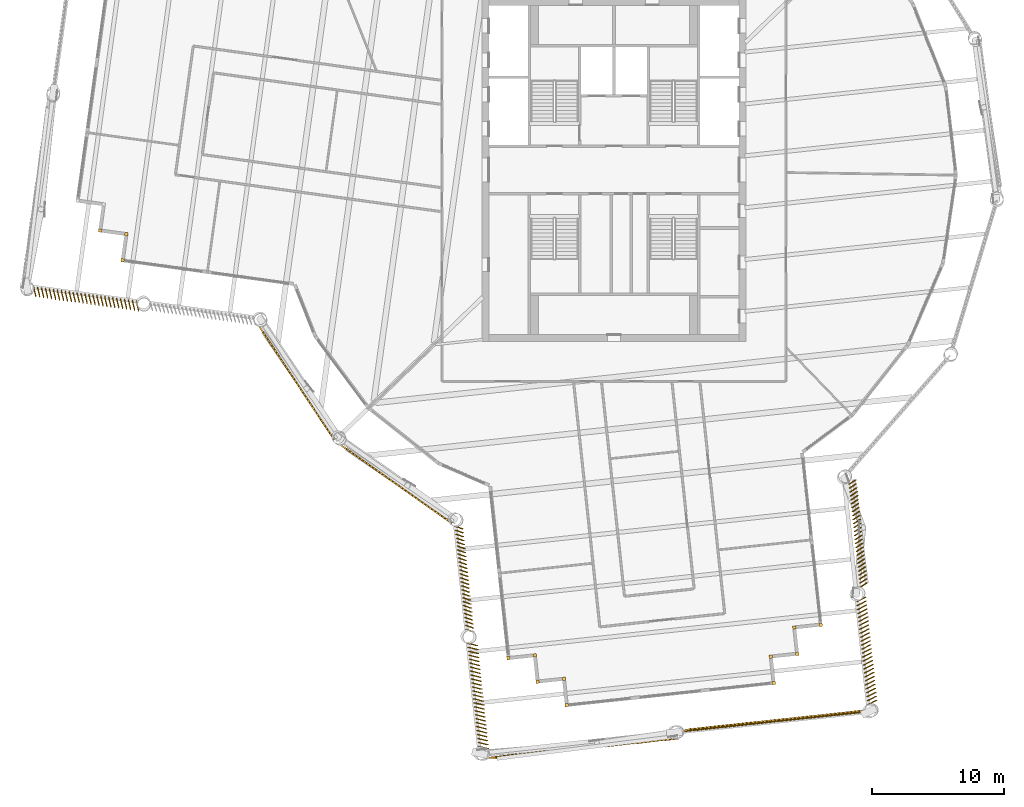
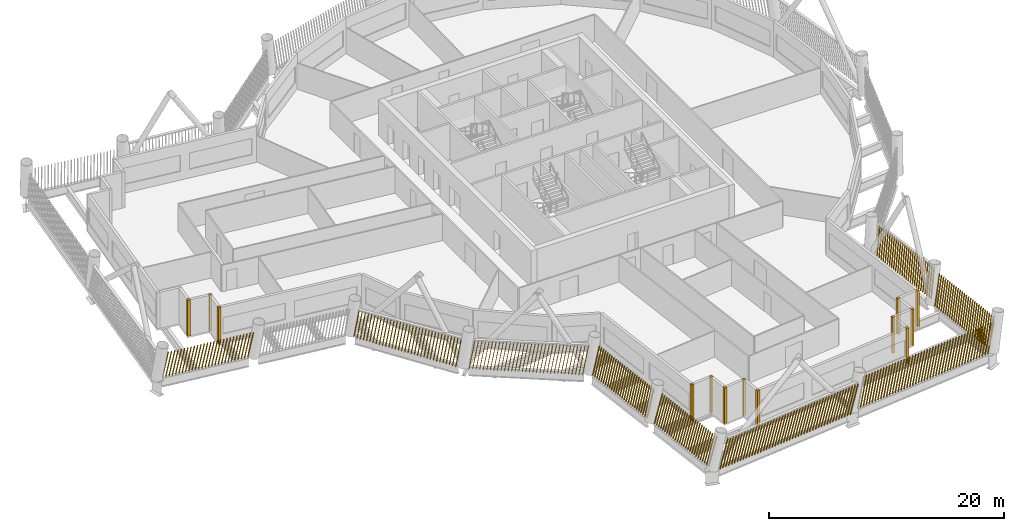
# One storey, part 17 of 21: 22 shading devices.
"""IFC4 building model written with IfcOpenShell, lengths in metres."""

from ifc_helpers import new_model, si_unit, direction, frame, frame_2d, origin, origin_2d, place, context, subcontext, project, spatial, rectangle, composite_profile, extrude, material, type_object, element, save


model = new_model("IFC4")

# Units and contexts
model_context = context("Model", 3, precision=1e-05, world=origin(), true_north=direction((0.0, 1.0)))
body_context = subcontext(model_context, "Body", "Model", "MODEL_VIEW")
ifc_project = project(units=[si_unit("LENGTHUNIT", "METRE"), si_unit("AREAUNIT", "SQUARE_METRE"), si_unit("VOLUMEUNIT", "CUBIC_METRE"), si_unit("PLANEANGLEUNIT", "RADIAN"), si_unit("MASSUNIT", "GRAM", prefix="KILO")], contexts=[model_context])

# Site, building, storey
site_placement = place(None, origin())
site = spatial("IfcSite", under=ifc_project, at=site_placement, CompositionType="ELEMENT")
building_placement = place(site_placement, origin())
building = spatial("IfcBuilding", under=site, at=building_placement, Name="Tarsis Ring Headquarters", CompositionType="ELEMENT")
storey_placement = place(building_placement, frame((0.0, 0.0, 255.199951171875)))
storey = spatial("IfcBuildingStorey", under=building, at=storey_placement, Name="L59", CompositionType="ELEMENT", Elevation=255.199951171875)

# Shading devices
ifc_material = material(Name="Terracotta baguette", Category="masonry")
shading_device_type_1 = type_object("IfcShadingDeviceType", Name="Terracotta baguette screen", PredefinedType="USERDEFINED", material=ifc_material)
shading_device_1_placement = place(storey_placement, frame((-20.660888671875, -20.817138671875, 0.0), z_axis=(0.0, 0.0, 1.0), x_axis=(0.817189256715, -0.576364772017, 0.0)))
element("IfcShadingDevice", 1, at=shading_device_1_placement, inside=storey, type_object=shading_device_type_1, Name="Baguette screen L59-00", ObjectType="Terracotta baguette screen", PredefinedType="USERDEFINED", context=body_context, shape_type="SweptSolid", body=[
    extrude(composite_profile([rectangle(XDim=0.06005859375, YDim=0.1201171875, at=frame_2d((0.030029296875, 0.0))), rectangle(XDim=0.06005859375, YDim=0.1201171875, at=frame_2d((0.33349609375, 0.0))), rectangle(XDim=0.06005859375, YDim=0.1201171875, at=frame_2d((0.636962890625, 0.0))), rectangle(XDim=0.06005859375, YDim=0.1201171875, at=frame_2d((0.9404296875, 0.0))), rectangle(XDim=0.06005859375, YDim=0.1201171875, at=frame_2d((1.243896484375, 0.0))), rectangle(XDim=0.06005859375, YDim=0.1201171875, at=frame_2d((1.54736328125, 0.0))), rectangle(XDim=0.06005859375, YDim=0.1201171875, at=frame_2d((1.85107421875, 0.0))), rectangle(XDim=0.06005859375, YDim=0.1201171875, at=frame_2d((2.154541015625, 0.0))), rectangle(XDim=0.06005859375, YDim=0.1201171875, at=frame_2d((2.4580078125, 0.0))), rectangle(XDim=0.06005859375, YDim=0.1201171875, at=frame_2d((2.761474609375, 0.0))), rectangle(XDim=0.06005859375, YDim=0.1201171875, at=frame_2d((3.06494140625, 0.0))), rectangle(XDim=0.06005859375, YDim=0.1201171875, at=frame_2d((3.368408203125, 0.0))), rectangle(XDim=0.06005859375, YDim=0.1201171875, at=frame_2d((3.671875, 0.0))), rectangle(XDim=0.06005859375, YDim=0.1201171875, at=frame_2d((3.975341796875, 0.0))), rectangle(XDim=0.06005859375, YDim=0.1201171875, at=frame_2d((4.27880859375, 0.0))), rectangle(XDim=0.06005859375, YDim=0.1201171875, at=frame_2d((4.582275390625, 0.0))), rectangle(XDim=0.06005859375, YDim=0.1201171875, at=frame_2d((4.8857421875, 0.0))), rectangle(XDim=0.06005859375, YDim=0.1201171875, at=frame_2d((5.189453125, 0.0))), rectangle(XDim=0.06005859375, YDim=0.1201171875, at=frame_2d((5.492919921875, 0.0))), rectangle(XDim=0.06005859375, YDim=0.1201171875, at=frame_2d((5.79638671875, 0.0))), rectangle(XDim=0.06005859375, YDim=0.1201171875, at=frame_2d((6.099853515625, 0.0))), rectangle(XDim=0.06005859375, YDim=0.1201171875, at=frame_2d((6.4033203125, 0.0))), rectangle(XDim=0.06005859375, YDim=0.1201171875, at=frame_2d((6.706787109375, 0.0))), rectangle(XDim=0.06005859375, YDim=0.1201171875, at=frame_2d((7.01025390625, 0.0))), rectangle(XDim=0.06005859375, YDim=0.1201171875, at=frame_2d((7.313720703125, 0.0))), rectangle(XDim=0.06005859375, YDim=0.1201171875, at=frame_2d((7.6171875, 0.0))), rectangle(XDim=0.06005859375, YDim=0.1201171875, at=frame_2d((7.920654296875, 0.0))), rectangle(XDim=0.06005859375, YDim=0.1201171875, at=frame_2d((8.224365234375, 0.0))), rectangle(XDim=0.06005859375, YDim=0.1201171875, at=frame_2d((8.52783203125, 0.0))), rectangle(XDim=0.06005859375, YDim=0.1201171875, at=frame_2d((8.831298828125, 0.0))), rectangle(XDim=0.06005859375, YDim=0.1201171875, at=frame_2d((9.134765625, 0.0))), rectangle(XDim=0.06005859375, YDim=0.1201171875, at=frame_2d((9.438232421875, 0.0))), rectangle(XDim=0.06005859375, YDim=0.1201171875, at=frame_2d((9.74169921875, 0.0)))]), origin(), (0.167659208312, 0.001464201062, 0.985843925773), 3.010498046875),
])
shading_device_2_placement = place(storey_placement, frame((-11.99755859375, -26.927978515625, 0.0), z_axis=(0.0, 0.0, 1.0), x_axis=(0.106620941082, -0.994315197578, 0.0)))
element("IfcShadingDevice", 2, at=shading_device_2_placement, inside=storey, type_object=shading_device_type_1, Name="Baguette screen L59-01", ObjectType="Terracotta baguette screen", PredefinedType="USERDEFINED", context=body_context, shape_type="SweptSolid", body=[
    extrude(composite_profile([rectangle(XDim=0.06005859375, YDim=0.1201171875, at=frame_2d((0.030029296875, 0.0))), rectangle(XDim=0.06005859375, YDim=0.1201171875, at=frame_2d((0.33154296875, 0.0))), rectangle(XDim=0.06005859375, YDim=0.1201171875, at=frame_2d((0.63330078125, 0.0))), rectangle(XDim=0.06005859375, YDim=0.1201171875, at=frame_2d((0.934814453125, 0.0))), rectangle(XDim=0.06005859375, YDim=0.1201171875, at=frame_2d((1.236572265625, 0.0))), rectangle(XDim=0.06005859375, YDim=0.1201171875, at=frame_2d((1.5380859375, 0.0))), rectangle(XDim=0.06005859375, YDim=0.1201171875, at=frame_2d((1.83984375, 0.0))), rectangle(XDim=0.06005859375, YDim=0.1201171875, at=frame_2d((2.141357421875, 0.0))), rectangle(XDim=0.06005859375, YDim=0.1201171875, at=frame_2d((2.443115234375, 0.0))), rectangle(XDim=0.06005859375, YDim=0.1201171875, at=frame_2d((2.74462890625, 0.0))), rectangle(XDim=0.06005859375, YDim=0.1201171875, at=frame_2d((3.04638671875, 0.0))), rectangle(XDim=0.06005859375, YDim=0.1201171875, at=frame_2d((3.347900390625, 0.0))), rectangle(XDim=0.06005859375, YDim=0.1201171875, at=frame_2d((3.649658203125, 0.0))), rectangle(XDim=0.06005859375, YDim=0.1201171875, at=frame_2d((3.951171875, 0.0))), rectangle(XDim=0.06005859375, YDim=0.1201171875, at=frame_2d((4.252685546875, 0.0))), rectangle(XDim=0.06005859375, YDim=0.1201171875, at=frame_2d((4.554443359375, 0.0))), rectangle(XDim=0.06005859375, YDim=0.1201171875, at=frame_2d((4.85595703125, 0.0))), rectangle(XDim=0.06005859375, YDim=0.1201171875, at=frame_2d((5.15771484375, 0.0))), rectangle(XDim=0.06005859375, YDim=0.1201171875, at=frame_2d((5.459228515625, 0.0))), rectangle(XDim=0.06005859375, YDim=0.1201171875, at=frame_2d((5.760986328125, 0.0))), rectangle(XDim=0.06005859375, YDim=0.1201171875, at=frame_2d((6.0625, 0.0))), rectangle(XDim=0.06005859375, YDim=0.1201171875, at=frame_2d((6.3642578125, 0.0))), rectangle(XDim=0.06005859375, YDim=0.1201171875, at=frame_2d((6.665771484375, 0.0))), rectangle(XDim=0.06005859375, YDim=0.1201171875, at=frame_2d((6.967529296875, 0.0))), rectangle(XDim=0.06005859375, YDim=0.1201171875, at=frame_2d((7.26904296875, 0.0))), rectangle(XDim=0.06005859375, YDim=0.1201171875, at=frame_2d((7.57080078125, 0.0))), rectangle(XDim=0.06005859375, YDim=0.1201171875, at=frame_2d((7.872314453125, 0.0)))]), origin(), (0.083962569211, 0.170749005439, 0.981730647435), 3.02294921875),
])
shading_device_3_placement = place(storey_placement, frame((-11.048583984375, -35.779541015625, 0.0), z_axis=(0.0, 0.0, 1.0), x_axis=(0.106620941082, -0.994315197578, 0.0)))
element("IfcShadingDevice", 3, at=shading_device_3_placement, inside=storey, type_object=shading_device_type_1, Name="Baguette screen L59-02", ObjectType="Terracotta baguette screen", PredefinedType="USERDEFINED", context=body_context, shape_type="SweptSolid", body=[
    extrude(composite_profile([rectangle(XDim=0.06005859375, YDim=0.1201171875, at=frame_2d((0.030029296875, 0.0))), rectangle(XDim=0.06005859375, YDim=0.1201171875, at=frame_2d((0.33154296875, 0.0))), rectangle(XDim=0.06005859375, YDim=0.1201171875, at=frame_2d((0.63330078125, 0.0))), rectangle(XDim=0.06005859375, YDim=0.1201171875, at=frame_2d((0.934814453125, 0.0))), rectangle(XDim=0.06005859375, YDim=0.1201171875, at=frame_2d((1.236572265625, 0.0))), rectangle(XDim=0.06005859375, YDim=0.1201171875, at=frame_2d((1.5380859375, 0.0))), rectangle(XDim=0.06005859375, YDim=0.1201171875, at=frame_2d((1.83984375, 0.0))), rectangle(XDim=0.06005859375, YDim=0.1201171875, at=frame_2d((2.141357421875, 0.0))), rectangle(XDim=0.06005859375, YDim=0.1201171875, at=frame_2d((2.443115234375, 0.0))), rectangle(XDim=0.06005859375, YDim=0.1201171875, at=frame_2d((2.74462890625, 0.0))), rectangle(XDim=0.06005859375, YDim=0.1201171875, at=frame_2d((3.04638671875, 0.0))), rectangle(XDim=0.06005859375, YDim=0.1201171875, at=frame_2d((3.347900390625, 0.0))), rectangle(XDim=0.06005859375, YDim=0.1201171875, at=frame_2d((3.649658203125, 0.0))), rectangle(XDim=0.06005859375, YDim=0.1201171875, at=frame_2d((3.951171875, 0.0))), rectangle(XDim=0.06005859375, YDim=0.1201171875, at=frame_2d((4.252685546875, 0.0))), rectangle(XDim=0.06005859375, YDim=0.1201171875, at=frame_2d((4.554443359375, 0.0))), rectangle(XDim=0.06005859375, YDim=0.1201171875, at=frame_2d((4.85595703125, 0.0))), rectangle(XDim=0.06005859375, YDim=0.1201171875, at=frame_2d((5.15771484375, 0.0))), rectangle(XDim=0.06005859375, YDim=0.1201171875, at=frame_2d((5.459228515625, 0.0))), rectangle(XDim=0.06005859375, YDim=0.1201171875, at=frame_2d((5.760986328125, 0.0))), rectangle(XDim=0.06005859375, YDim=0.1201171875, at=frame_2d((6.0625, 0.0))), rectangle(XDim=0.06005859375, YDim=0.1201171875, at=frame_2d((6.3642578125, 0.0))), rectangle(XDim=0.06005859375, YDim=0.1201171875, at=frame_2d((6.665771484375, 0.0))), rectangle(XDim=0.06005859375, YDim=0.1201171875, at=frame_2d((6.967529296875, 0.0))), rectangle(XDim=0.06005859375, YDim=0.1201171875, at=frame_2d((7.26904296875, 0.0))), rectangle(XDim=0.06005859375, YDim=0.1201171875, at=frame_2d((7.57080078125, 0.0))), rectangle(XDim=0.06005859375, YDim=0.1201171875, at=frame_2d((7.872314453125, 0.0)))]), origin(), (0.082686830763, 0.219943043453, 0.972002029656), 3.05322265625),
])
shading_device_4_placement = place(storey_placement, frame((-9.615478515625, -44.453369140625, 0.0), z_axis=(0.0, 0.0, 1.0), x_axis=(0.994303304791, 0.106609581771, 0.0)))
element("IfcShadingDevice", 4, at=shading_device_4_placement, inside=storey, type_object=shading_device_type_1, Name="Baguette screen L59-03", ObjectType="Terracotta baguette screen", PredefinedType="USERDEFINED", context=body_context, shape_type="SweptSolid", body=[
    extrude(composite_profile([rectangle(XDim=0.06005859375, YDim=0.1201171875, at=frame_2d((0.030029296875, 0.0))), rectangle(XDim=0.06005859375, YDim=0.1201171875, at=frame_2d((0.33544921875, 0.0))), rectangle(XDim=0.06005859375, YDim=0.1201171875, at=frame_2d((0.640625, 0.0))), rectangle(XDim=0.06005859375, YDim=0.1201171875, at=frame_2d((0.946044921875, 0.0))), rectangle(XDim=0.06005859375, YDim=0.1201171875, at=frame_2d((1.25146484375, 0.0))), rectangle(XDim=0.06005859375, YDim=0.1201171875, at=frame_2d((1.556640625, 0.0))), rectangle(XDim=0.06005859375, YDim=0.1201171875, at=frame_2d((1.862060546875, 0.0))), rectangle(XDim=0.06005859375, YDim=0.1201171875, at=frame_2d((2.16748046875, 0.0))), rectangle(XDim=0.06005859375, YDim=0.1201171875, at=frame_2d((2.47265625, 0.0))), rectangle(XDim=0.06005859375, YDim=0.1201171875, at=frame_2d((2.778076171875, 0.0))), rectangle(XDim=0.06005859375, YDim=0.1201171875, at=frame_2d((3.08349609375, 0.0))), rectangle(XDim=0.06005859375, YDim=0.1201171875, at=frame_2d((3.388671875, 0.0))), rectangle(XDim=0.06005859375, YDim=0.1201171875, at=frame_2d((3.694091796875, 0.0))), rectangle(XDim=0.06005859375, YDim=0.1201171875, at=frame_2d((3.99951171875, 0.0))), rectangle(XDim=0.06005859375, YDim=0.1201171875, at=frame_2d((4.3046875, 0.0))), rectangle(XDim=0.06005859375, YDim=0.1201171875, at=frame_2d((4.610107421875, 0.0))), rectangle(XDim=0.06005859375, YDim=0.1201171875, at=frame_2d((4.91552734375, 0.0))), rectangle(XDim=0.06005859375, YDim=0.1201171875, at=frame_2d((5.220703125, 0.0))), rectangle(XDim=0.06005859375, YDim=0.1201171875, at=frame_2d((5.526123046875, 0.0))), rectangle(XDim=0.06005859375, YDim=0.1201171875, at=frame_2d((5.83154296875, 0.0))), rectangle(XDim=0.06005859375, YDim=0.1201171875, at=frame_2d((6.13671875, 0.0))), rectangle(XDim=0.06005859375, YDim=0.1201171875, at=frame_2d((6.442138671875, 0.0))), rectangle(XDim=0.06005859375, YDim=0.1201171875, at=frame_2d((6.74755859375, 0.0))), rectangle(XDim=0.06005859375, YDim=0.1201171875, at=frame_2d((7.052734375, 0.0))), rectangle(XDim=0.06005859375, YDim=0.1201171875, at=frame_2d((7.358154296875, 0.0))), rectangle(XDim=0.06005859375, YDim=0.1201171875, at=frame_2d((7.66357421875, 0.0))), rectangle(XDim=0.06005859375, YDim=0.1201171875, at=frame_2d((7.96875, 0.0))), rectangle(XDim=0.06005859375, YDim=0.1201171875, at=frame_2d((8.274169921875, 0.0))), rectangle(XDim=0.06005859375, YDim=0.1201171875, at=frame_2d((8.57958984375, 0.0))), rectangle(XDim=0.06005859375, YDim=0.1201171875, at=frame_2d((8.884765625, 0.0))), rectangle(XDim=0.06005859375, YDim=0.1201171875, at=frame_2d((9.190185546875, 0.0))), rectangle(XDim=0.06005859375, YDim=0.1201171875, at=frame_2d((9.49560546875, 0.0))), rectangle(XDim=0.06005859375, YDim=0.1201171875, at=frame_2d((9.80078125, 0.0))), rectangle(XDim=0.06005859375, YDim=0.1201171875, at=frame_2d((10.106201171875, 0.0))), rectangle(XDim=0.06005859375, YDim=0.1201171875, at=frame_2d((10.41162109375, 0.0))), rectangle(XDim=0.06005859375, YDim=0.1201171875, at=frame_2d((10.716796875, 0.0))), rectangle(XDim=0.06005859375, YDim=0.1201171875, at=frame_2d((11.022216796875, 0.0))), rectangle(XDim=0.06005859375, YDim=0.1201171875, at=frame_2d((11.32763671875, 0.0))), rectangle(XDim=0.06005859375, YDim=0.1201171875, at=frame_2d((11.6328125, 0.0))), rectangle(XDim=0.06005859375, YDim=0.1201171875, at=frame_2d((11.938232421875, 0.0))), rectangle(XDim=0.06005859375, YDim=0.1201171875, at=frame_2d((12.24365234375, 0.0))), rectangle(XDim=0.06005859375, YDim=0.1201171875, at=frame_2d((12.548828125, 0.0))), rectangle(XDim=0.06005859375, YDim=0.1201171875, at=frame_2d((12.854248046875, 0.0))), rectangle(XDim=0.06005859375, YDim=0.1201171875, at=frame_2d((13.15966796875, 0.0))), rectangle(XDim=0.06005859375, YDim=0.1201171875, at=frame_2d((13.46484375, 0.0))), rectangle(XDim=0.06005859375, YDim=0.1201171875, at=frame_2d((13.770263671875, 0.0)))]), origin(), (0.246237672107, -0.039994861434, 0.968383921745), 3.064697265625),
])
shading_device_5_placement = place(storey_placement, frame((5.06005859375, -42.502685546875, 0.0), z_axis=(0.0, 0.0, 1.0), x_axis=(0.994303405573, 0.10660769571, 0.0)))
element("IfcShadingDevice", 5, at=shading_device_5_placement, inside=storey, type_object=shading_device_type_1, Name="Baguette screen L59-04", ObjectType="Terracotta baguette screen", PredefinedType="USERDEFINED", context=body_context, shape_type="SweptSolid", body=[
    extrude(composite_profile([rectangle(XDim=0.06005859375, YDim=0.1201171875, at=frame_2d((0.030029296875, 0.0))), rectangle(XDim=0.06005859375, YDim=0.1201171875, at=frame_2d((0.33544921875, 0.0))), rectangle(XDim=0.06005859375, YDim=0.1201171875, at=frame_2d((0.640625, 0.0))), rectangle(XDim=0.06005859375, YDim=0.1201171875, at=frame_2d((0.946044921875, 0.0))), rectangle(XDim=0.06005859375, YDim=0.1201171875, at=frame_2d((1.25146484375, 0.0))), rectangle(XDim=0.06005859375, YDim=0.1201171875, at=frame_2d((1.556640625, 0.0))), rectangle(XDim=0.06005859375, YDim=0.1201171875, at=frame_2d((1.862060546875, 0.0))), rectangle(XDim=0.06005859375, YDim=0.1201171875, at=frame_2d((2.16748046875, 0.0))), rectangle(XDim=0.06005859375, YDim=0.1201171875, at=frame_2d((2.47265625, 0.0))), rectangle(XDim=0.06005859375, YDim=0.1201171875, at=frame_2d((2.778076171875, 0.0))), rectangle(XDim=0.06005859375, YDim=0.1201171875, at=frame_2d((3.08349609375, 0.0))), rectangle(XDim=0.06005859375, YDim=0.1201171875, at=frame_2d((3.388671875, 0.0))), rectangle(XDim=0.06005859375, YDim=0.1201171875, at=frame_2d((3.694091796875, 0.0))), rectangle(XDim=0.06005859375, YDim=0.1201171875, at=frame_2d((3.99951171875, 0.0))), rectangle(XDim=0.06005859375, YDim=0.1201171875, at=frame_2d((4.3046875, 0.0))), rectangle(XDim=0.06005859375, YDim=0.1201171875, at=frame_2d((4.610107421875, 0.0))), rectangle(XDim=0.06005859375, YDim=0.1201171875, at=frame_2d((4.91552734375, 0.0))), rectangle(XDim=0.06005859375, YDim=0.1201171875, at=frame_2d((5.220703125, 0.0))), rectangle(XDim=0.06005859375, YDim=0.1201171875, at=frame_2d((5.526123046875, 0.0))), rectangle(XDim=0.06005859375, YDim=0.1201171875, at=frame_2d((5.83154296875, 0.0))), rectangle(XDim=0.06005859375, YDim=0.1201171875, at=frame_2d((6.13671875, 0.0))), rectangle(XDim=0.06005859375, YDim=0.1201171875, at=frame_2d((6.442138671875, 0.0))), rectangle(XDim=0.06005859375, YDim=0.1201171875, at=frame_2d((6.74755859375, 0.0))), rectangle(XDim=0.06005859375, YDim=0.1201171875, at=frame_2d((7.052734375, 0.0))), rectangle(XDim=0.06005859375, YDim=0.1201171875, at=frame_2d((7.358154296875, 0.0))), rectangle(XDim=0.06005859375, YDim=0.1201171875, at=frame_2d((7.66357421875, 0.0))), rectangle(XDim=0.06005859375, YDim=0.1201171875, at=frame_2d((7.96875, 0.0))), rectangle(XDim=0.06005859375, YDim=0.1201171875, at=frame_2d((8.274169921875, 0.0))), rectangle(XDim=0.06005859375, YDim=0.1201171875, at=frame_2d((8.57958984375, 0.0))), rectangle(XDim=0.06005859375, YDim=0.1201171875, at=frame_2d((8.884765625, 0.0))), rectangle(XDim=0.06005859375, YDim=0.1201171875, at=frame_2d((9.190185546875, 0.0))), rectangle(XDim=0.06005859375, YDim=0.1201171875, at=frame_2d((9.49560546875, 0.0))), rectangle(XDim=0.06005859375, YDim=0.1201171875, at=frame_2d((9.80078125, 0.0))), rectangle(XDim=0.06005859375, YDim=0.1201171875, at=frame_2d((10.106201171875, 0.0))), rectangle(XDim=0.06005859375, YDim=0.1201171875, at=frame_2d((10.41162109375, 0.0))), rectangle(XDim=0.06005859375, YDim=0.1201171875, at=frame_2d((10.716796875, 0.0))), rectangle(XDim=0.06005859375, YDim=0.1201171875, at=frame_2d((11.022216796875, 0.0))), rectangle(XDim=0.06005859375, YDim=0.1201171875, at=frame_2d((11.32763671875, 0.0))), rectangle(XDim=0.06005859375, YDim=0.1201171875, at=frame_2d((11.6328125, 0.0))), rectangle(XDim=0.06005859375, YDim=0.1201171875, at=frame_2d((11.938232421875, 0.0))), rectangle(XDim=0.06005859375, YDim=0.1201171875, at=frame_2d((12.24365234375, 0.0))), rectangle(XDim=0.06005859375, YDim=0.1201171875, at=frame_2d((12.548828125, 0.0))), rectangle(XDim=0.06005859375, YDim=0.1201171875, at=frame_2d((12.854248046875, 0.0))), rectangle(XDim=0.06005859375, YDim=0.1201171875, at=frame_2d((13.15966796875, 0.0))), rectangle(XDim=0.06005859375, YDim=0.1201171875, at=frame_2d((13.46484375, 0.0))), rectangle(XDim=0.06005859375, YDim=0.1201171875, at=frame_2d((13.770263671875, 0.0)))]), origin(), (0.243493935645, 0.044292192095, 0.968890553687), 3.06298828125),
])
shading_device_6_placement = place(storey_placement, frame((19.225341796875, -40.48095703125, 0.0), z_axis=(0.0, 0.0, 1.0), x_axis=(-0.106620941082, 0.994315197578, 0.0)))
element("IfcShadingDevice", 6, at=shading_device_6_placement, inside=storey, type_object=shading_device_type_1, Name="Baguette screen L59-05", ObjectType="Terracotta baguette screen", PredefinedType="USERDEFINED", context=body_context, shape_type="SweptSolid", body=[
    extrude(composite_profile([rectangle(XDim=0.06005859375, YDim=0.1201171875, at=frame_2d((0.030029296875, 0.0))), rectangle(XDim=0.06005859375, YDim=0.1201171875, at=frame_2d((0.33154296875, 0.0))), rectangle(XDim=0.06005859375, YDim=0.1201171875, at=frame_2d((0.63330078125, 0.0))), rectangle(XDim=0.06005859375, YDim=0.1201171875, at=frame_2d((0.934814453125, 0.0))), rectangle(XDim=0.06005859375, YDim=0.1201171875, at=frame_2d((1.236572265625, 0.0))), rectangle(XDim=0.06005859375, YDim=0.1201171875, at=frame_2d((1.5380859375, 0.0))), rectangle(XDim=0.06005859375, YDim=0.1201171875, at=frame_2d((1.83984375, 0.0))), rectangle(XDim=0.06005859375, YDim=0.1201171875, at=frame_2d((2.141357421875, 0.0))), rectangle(XDim=0.06005859375, YDim=0.1201171875, at=frame_2d((2.443115234375, 0.0))), rectangle(XDim=0.06005859375, YDim=0.1201171875, at=frame_2d((2.74462890625, 0.0))), rectangle(XDim=0.06005859375, YDim=0.1201171875, at=frame_2d((3.04638671875, 0.0))), rectangle(XDim=0.06005859375, YDim=0.1201171875, at=frame_2d((3.347900390625, 0.0))), rectangle(XDim=0.06005859375, YDim=0.1201171875, at=frame_2d((3.649658203125, 0.0))), rectangle(XDim=0.06005859375, YDim=0.1201171875, at=frame_2d((3.951171875, 0.0))), rectangle(XDim=0.06005859375, YDim=0.1201171875, at=frame_2d((4.252685546875, 0.0))), rectangle(XDim=0.06005859375, YDim=0.1201171875, at=frame_2d((4.554443359375, 0.0))), rectangle(XDim=0.06005859375, YDim=0.1201171875, at=frame_2d((4.85595703125, 0.0))), rectangle(XDim=0.06005859375, YDim=0.1201171875, at=frame_2d((5.15771484375, 0.0))), rectangle(XDim=0.06005859375, YDim=0.1201171875, at=frame_2d((5.459228515625, 0.0))), rectangle(XDim=0.06005859375, YDim=0.1201171875, at=frame_2d((5.760986328125, 0.0))), rectangle(XDim=0.06005859375, YDim=0.1201171875, at=frame_2d((6.0625, 0.0))), rectangle(XDim=0.06005859375, YDim=0.1201171875, at=frame_2d((6.3642578125, 0.0))), rectangle(XDim=0.06005859375, YDim=0.1201171875, at=frame_2d((6.665771484375, 0.0))), rectangle(XDim=0.06005859375, YDim=0.1201171875, at=frame_2d((6.967529296875, 0.0))), rectangle(XDim=0.06005859375, YDim=0.1201171875, at=frame_2d((7.26904296875, 0.0))), rectangle(XDim=0.06005859375, YDim=0.1201171875, at=frame_2d((7.57080078125, 0.0))), rectangle(XDim=0.06005859375, YDim=0.1201171875, at=frame_2d((7.872314453125, 0.0)))]), origin(), (0.086509380507, -0.21846786811, 0.972002015269), 3.05322265625),
])
shading_device_7_placement = place(storey_placement, frame((18.649169921875, -31.589599609375, 0.0), z_axis=(0.0, 0.0, 1.0), x_axis=(-0.106620941082, 0.994315197578, 0.0)))
element("IfcShadingDevice", 7, at=shading_device_7_placement, inside=storey, type_object=shading_device_type_1, Name="Baguette screen L59-06", ObjectType="Terracotta baguette screen", PredefinedType="USERDEFINED", context=body_context, shape_type="SweptSolid", body=[
    extrude(composite_profile([rectangle(XDim=0.06005859375, YDim=0.1201171875, at=frame_2d((0.030029296875, 0.0))), rectangle(XDim=0.06005859375, YDim=0.1201171875, at=frame_2d((0.33154296875, 0.0))), rectangle(XDim=0.06005859375, YDim=0.1201171875, at=frame_2d((0.63330078125, 0.0))), rectangle(XDim=0.06005859375, YDim=0.1201171875, at=frame_2d((0.934814453125, 0.0))), rectangle(XDim=0.06005859375, YDim=0.1201171875, at=frame_2d((1.236572265625, 0.0))), rectangle(XDim=0.06005859375, YDim=0.1201171875, at=frame_2d((1.5380859375, 0.0))), rectangle(XDim=0.06005859375, YDim=0.1201171875, at=frame_2d((1.83984375, 0.0))), rectangle(XDim=0.06005859375, YDim=0.1201171875, at=frame_2d((2.141357421875, 0.0))), rectangle(XDim=0.06005859375, YDim=0.1201171875, at=frame_2d((2.443115234375, 0.0))), rectangle(XDim=0.06005859375, YDim=0.1201171875, at=frame_2d((2.74462890625, 0.0))), rectangle(XDim=0.06005859375, YDim=0.1201171875, at=frame_2d((3.04638671875, 0.0))), rectangle(XDim=0.06005859375, YDim=0.1201171875, at=frame_2d((3.347900390625, 0.0))), rectangle(XDim=0.06005859375, YDim=0.1201171875, at=frame_2d((3.649658203125, 0.0))), rectangle(XDim=0.06005859375, YDim=0.1201171875, at=frame_2d((3.951171875, 0.0))), rectangle(XDim=0.06005859375, YDim=0.1201171875, at=frame_2d((4.252685546875, 0.0))), rectangle(XDim=0.06005859375, YDim=0.1201171875, at=frame_2d((4.554443359375, 0.0))), rectangle(XDim=0.06005859375, YDim=0.1201171875, at=frame_2d((4.85595703125, 0.0))), rectangle(XDim=0.06005859375, YDim=0.1201171875, at=frame_2d((5.15771484375, 0.0))), rectangle(XDim=0.06005859375, YDim=0.1201171875, at=frame_2d((5.459228515625, 0.0))), rectangle(XDim=0.06005859375, YDim=0.1201171875, at=frame_2d((5.760986328125, 0.0))), rectangle(XDim=0.06005859375, YDim=0.1201171875, at=frame_2d((6.0625, 0.0))), rectangle(XDim=0.06005859375, YDim=0.1201171875, at=frame_2d((6.3642578125, 0.0))), rectangle(XDim=0.06005859375, YDim=0.1201171875, at=frame_2d((6.665771484375, 0.0))), rectangle(XDim=0.06005859375, YDim=0.1201171875, at=frame_2d((6.967529296875, 0.0))), rectangle(XDim=0.06005859375, YDim=0.1201171875, at=frame_2d((7.26904296875, 0.0))), rectangle(XDim=0.06005859375, YDim=0.1201171875, at=frame_2d((7.57080078125, 0.0))), rectangle(XDim=0.06005859375, YDim=0.1201171875, at=frame_2d((7.872314453125, 0.0)))]), origin(), (0.08907533313, -0.169208333177, 0.981546802252), 3.023681640625),
])
shading_device_8_placement = place(storey_placement, frame((-43.9296875, -8.861083984375, 0.0), z_axis=(0.0, 0.0, 1.0), x_axis=(0.990546218487, -0.137079831933, 0.0)))
element("IfcShadingDevice", 8, at=shading_device_8_placement, inside=storey, type_object=shading_device_type_1, Name="Baguette screen L59-19", ObjectType="Terracotta baguette screen", PredefinedType="USERDEFINED", context=body_context, shape_type="SweptSolid", body=[
    extrude(composite_profile([rectangle(XDim=0.06005859375, YDim=0.1201171875, at=frame_2d((0.030029296875, 0.0))), rectangle(XDim=0.06005859375, YDim=0.1201171875, at=frame_2d((0.33154296875, 0.0))), rectangle(XDim=0.06005859375, YDim=0.1201171875, at=frame_2d((0.63330078125, 0.0))), rectangle(XDim=0.06005859375, YDim=0.1201171875, at=frame_2d((0.934814453125, 0.0))), rectangle(XDim=0.06005859375, YDim=0.1201171875, at=frame_2d((1.236572265625, 0.0))), rectangle(XDim=0.06005859375, YDim=0.1201171875, at=frame_2d((1.5380859375, 0.0))), rectangle(XDim=0.06005859375, YDim=0.1201171875, at=frame_2d((1.83984375, 0.0))), rectangle(XDim=0.06005859375, YDim=0.1201171875, at=frame_2d((2.141357421875, 0.0))), rectangle(XDim=0.06005859375, YDim=0.1201171875, at=frame_2d((2.443115234375, 0.0))), rectangle(XDim=0.06005859375, YDim=0.1201171875, at=frame_2d((2.74462890625, 0.0))), rectangle(XDim=0.06005859375, YDim=0.1201171875, at=frame_2d((3.04638671875, 0.0))), rectangle(XDim=0.06005859375, YDim=0.1201171875, at=frame_2d((3.347900390625, 0.0))), rectangle(XDim=0.06005859375, YDim=0.1201171875, at=frame_2d((3.649658203125, 0.0))), rectangle(XDim=0.06005859375, YDim=0.1201171875, at=frame_2d((3.951171875, 0.0))), rectangle(XDim=0.06005859375, YDim=0.1201171875, at=frame_2d((4.252685546875, 0.0))), rectangle(XDim=0.06005859375, YDim=0.1201171875, at=frame_2d((4.554443359375, 0.0))), rectangle(XDim=0.06005859375, YDim=0.1201171875, at=frame_2d((4.85595703125, 0.0))), rectangle(XDim=0.06005859375, YDim=0.1201171875, at=frame_2d((5.15771484375, 0.0))), rectangle(XDim=0.06005859375, YDim=0.1201171875, at=frame_2d((5.459228515625, 0.0))), rectangle(XDim=0.06005859375, YDim=0.1201171875, at=frame_2d((5.760986328125, 0.0))), rectangle(XDim=0.06005859375, YDim=0.1201171875, at=frame_2d((6.0625, 0.0))), rectangle(XDim=0.06005859375, YDim=0.1201171875, at=frame_2d((6.3642578125, 0.0))), rectangle(XDim=0.06005859375, YDim=0.1201171875, at=frame_2d((6.665771484375, 0.0))), rectangle(XDim=0.06005859375, YDim=0.1201171875, at=frame_2d((6.967529296875, 0.0))), rectangle(XDim=0.06005859375, YDim=0.1201171875, at=frame_2d((7.26904296875, 0.0))), rectangle(XDim=0.06005859375, YDim=0.1201171875, at=frame_2d((7.57080078125, 0.0))), rectangle(XDim=0.06005859375, YDim=0.1201171875, at=frame_2d((7.872314453125, 0.0)))]), origin(), (0.086504634878, -0.218462771843, 0.972003583051), 3.05322265625),
])
shading_device_9_placement = place(storey_placement, frame((-26.825927734375, -11.857177734375, 0.0), z_axis=(0.0, 0.0, 1.0), x_axis=(0.550980637102, -0.834528419738, 0.0)))
element("IfcShadingDevice", 9, at=shading_device_9_placement, inside=storey, type_object=shading_device_type_1, Name="Baguette screen L59-21", ObjectType="Terracotta baguette screen", PredefinedType="USERDEFINED", context=body_context, shape_type="SweptSolid", body=[
    extrude(composite_profile([rectangle(XDim=0.06005859375, YDim=0.1201171875, at=frame_2d((0.030029296875, 0.0))), rectangle(XDim=0.06005859375, YDim=0.1201171875, at=frame_2d((0.33349609375, 0.0))), rectangle(XDim=0.06005859375, YDim=0.1201171875, at=frame_2d((0.636962890625, 0.0))), rectangle(XDim=0.06005859375, YDim=0.1201171875, at=frame_2d((0.9404296875, 0.0))), rectangle(XDim=0.06005859375, YDim=0.1201171875, at=frame_2d((1.243896484375, 0.0))), rectangle(XDim=0.06005859375, YDim=0.1201171875, at=frame_2d((1.54736328125, 0.0))), rectangle(XDim=0.06005859375, YDim=0.1201171875, at=frame_2d((1.85107421875, 0.0))), rectangle(XDim=0.06005859375, YDim=0.1201171875, at=frame_2d((2.154541015625, 0.0))), rectangle(XDim=0.06005859375, YDim=0.1201171875, at=frame_2d((2.4580078125, 0.0))), rectangle(XDim=0.06005859375, YDim=0.1201171875, at=frame_2d((2.761474609375, 0.0))), rectangle(XDim=0.06005859375, YDim=0.1201171875, at=frame_2d((3.06494140625, 0.0))), rectangle(XDim=0.06005859375, YDim=0.1201171875, at=frame_2d((3.368408203125, 0.0))), rectangle(XDim=0.06005859375, YDim=0.1201171875, at=frame_2d((3.671875, 0.0))), rectangle(XDim=0.06005859375, YDim=0.1201171875, at=frame_2d((3.975341796875, 0.0))), rectangle(XDim=0.06005859375, YDim=0.1201171875, at=frame_2d((4.27880859375, 0.0))), rectangle(XDim=0.06005859375, YDim=0.1201171875, at=frame_2d((4.582275390625, 0.0))), rectangle(XDim=0.06005859375, YDim=0.1201171875, at=frame_2d((4.8857421875, 0.0))), rectangle(XDim=0.06005859375, YDim=0.1201171875, at=frame_2d((5.189453125, 0.0))), rectangle(XDim=0.06005859375, YDim=0.1201171875, at=frame_2d((5.492919921875, 0.0))), rectangle(XDim=0.06005859375, YDim=0.1201171875, at=frame_2d((5.79638671875, 0.0))), rectangle(XDim=0.06005859375, YDim=0.1201171875, at=frame_2d((6.099853515625, 0.0))), rectangle(XDim=0.06005859375, YDim=0.1201171875, at=frame_2d((6.4033203125, 0.0))), rectangle(XDim=0.06005859375, YDim=0.1201171875, at=frame_2d((6.706787109375, 0.0))), rectangle(XDim=0.06005859375, YDim=0.1201171875, at=frame_2d((7.01025390625, 0.0))), rectangle(XDim=0.06005859375, YDim=0.1201171875, at=frame_2d((7.313720703125, 0.0))), rectangle(XDim=0.06005859375, YDim=0.1201171875, at=frame_2d((7.6171875, 0.0))), rectangle(XDim=0.06005859375, YDim=0.1201171875, at=frame_2d((7.920654296875, 0.0))), rectangle(XDim=0.06005859375, YDim=0.1201171875, at=frame_2d((8.224365234375, 0.0))), rectangle(XDim=0.06005859375, YDim=0.1201171875, at=frame_2d((8.52783203125, 0.0))), rectangle(XDim=0.06005859375, YDim=0.1201171875, at=frame_2d((8.831298828125, 0.0))), rectangle(XDim=0.06005859375, YDim=0.1201171875, at=frame_2d((9.134765625, 0.0))), rectangle(XDim=0.06005859375, YDim=0.1201171875, at=frame_2d((9.438232421875, 0.0))), rectangle(XDim=0.06005859375, YDim=0.1201171875, at=frame_2d((9.74169921875, 0.0)))]), origin(), (0.167661373693, 0.001466243977, 0.985843554475), 3.010498046875),
])
shading_device_type_2 = type_object("IfcShadingDeviceType", Name="Terracotta corner baguette 250x250", PredefinedType="USERDEFINED", material=ifc_material)
for number, where, z_axis, x_axis, name in (
    (10, (-37.164306640625, -6.844482421875, 0.0), (0.0, 0.0, 1.0), (-0.137098490738, -0.990557420767, 0.0), "Corner baguette L59-01"),
    (11, (-7.982666015625, -36.9365234375, 0.0), (0.0, 0.0, 1.0), (0.106611188983, -0.994300786676, 0.0), "Corner baguette L59-07"),
    (12, (-5.994140625, -36.723388671875, 0.0), (0.0, 0.0, 1.0), (0.994300803422, 0.106611032799, 0.0), "Corner baguette L59-08"),
    (13, (-5.78076171875, -38.7119140625, 0.0), (0.0, 0.0, 1.0), (0.106611466644, -0.994300756904, 0.0), "Corner baguette L59-09"),
    (14, (-3.792236328125, -38.498779296875, 0.0), (0.0, 0.0, 1.0), (0.994300756904, 0.106611466644, 0.0), "Corner baguette L59-10"),
    (15, (-3.5791015625, -40.4873046875, 0.0), (0.0, 0.0, 1.0), (0.106610980737, -0.994300809004, 0.0), "Corner baguette L59-11"),
    (16, (12.081298828125, -38.80810546875, 0.0), (0.0, 0.0, 1.0), (0.994300786676, 0.106611188983, 0.0), "Corner baguette L59-12"),
    (17, (11.867919921875, -36.819580078125, 0.0), (0.0, 0.0, 1.0), (-0.106611466644, 0.994300756904, 0.0), "Corner baguette L59-13"),
    (18, (13.856689453125, -36.6064453125, 0.0), (0.0, 0.0, 1.0), (0.994300855522, 0.106610546891, 0.0), "Corner baguette L59-14"),
    (19, (13.643310546875, -34.61767578125, 0.0), (0.0, 0.0, 1.0), (-0.106610980737, 0.994300809004, 0.0), "Corner baguette L59-15"),
    (20, (15.632080078125, -34.404541015625, 0.0), (0.0, 0.0, 1.0), (0.994300809004, 0.106610980737, 0.0), "Corner baguette L59-16"),
    (21, (-38.87109375, -4.589111328125, 0.0), (0.0, 0.0, 1.0), (-0.137098974816, -0.990557353768, 0.0), "Corner baguette L59-39"),
    (22, (-36.89013671875, -4.86328125, 0.0), (0.0, 0.0, 1.0), (0.990557353768, -0.137098974816, 0.0), "Corner baguette L59-40"),
):
    element("IfcShadingDevice", number, at=place(storey_placement, frame(where, z_axis=z_axis, x_axis=x_axis)), inside=storey, type_object=shading_device_type_2, Name=name, ObjectType="Terracotta corner baguette", PredefinedType="USERDEFINED", context=body_context, shape_type="SweptSolid", body=[
        extrude(rectangle(XDim=0.25, YDim=0.25, at=origin_2d()), origin(), (0.0, 0.0, 1.0), 3.739990234375),
    ])

save(model, "model.ifc")
